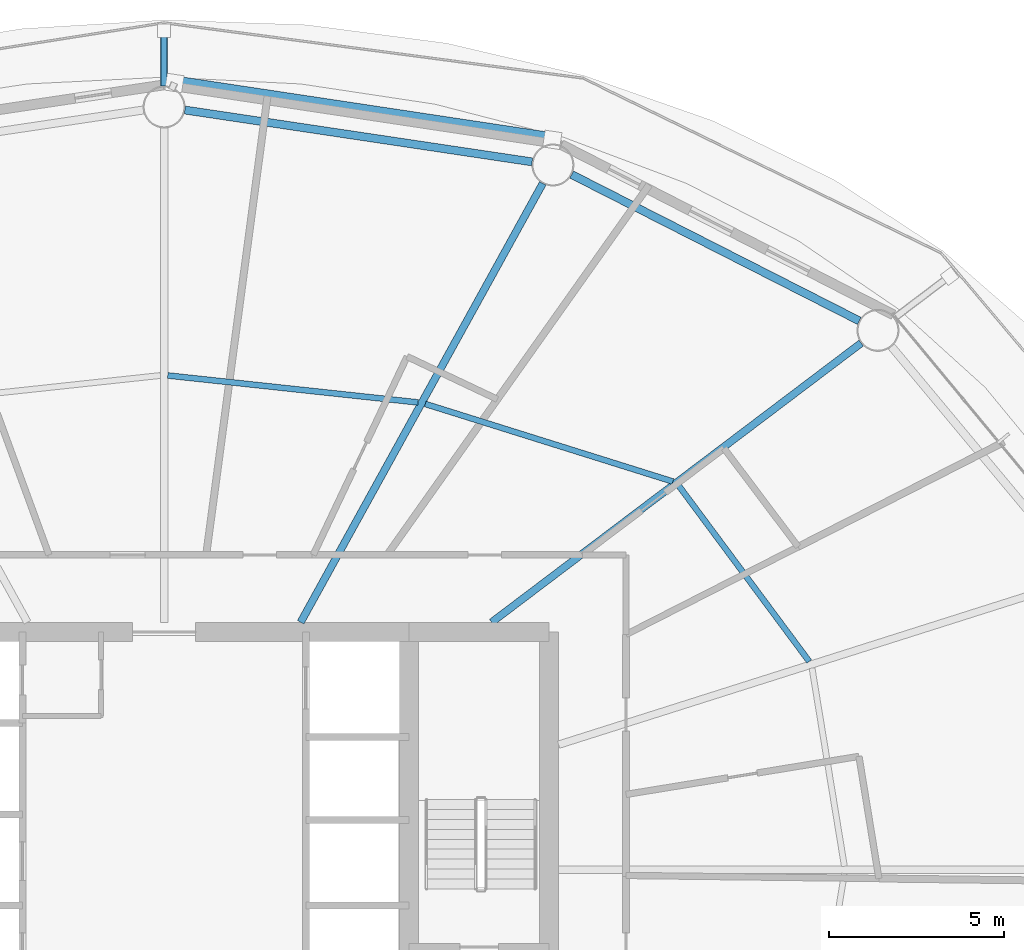
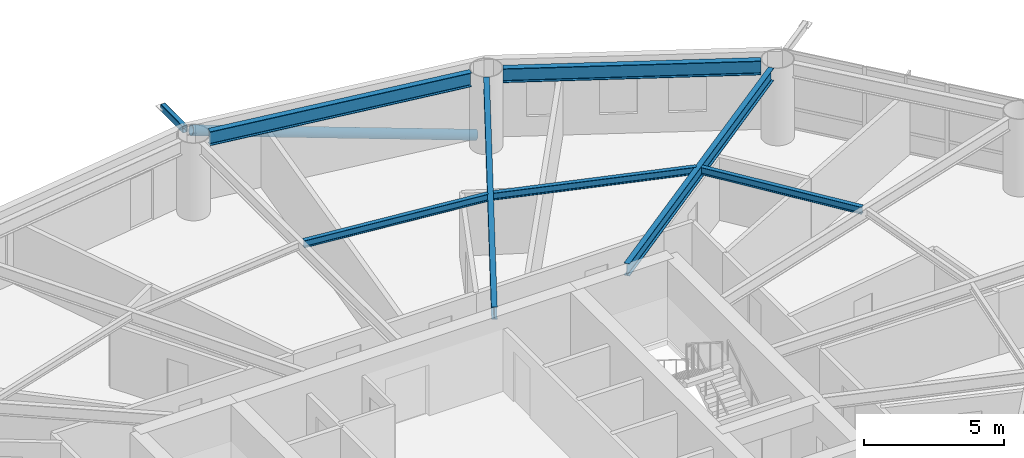
# One storey, part 11 of 24: 7 beams, 2 members.
"""IFC4 building model written with IfcOpenShell, lengths in metres."""

from ifc_helpers import new_model, si_unit, direction, frame, origin, origin_2d, place, context, subcontext, project, spatial, hollow_rectangle, hollow_circle, i_section, extrude, material, material_profile, profile_set, type_object, element, save


model = new_model("IFC4")

# Units and contexts
model_context = context("Model", 3, precision=1e-05, world=origin(), true_north=direction((0.0, 1.0)))
body_context = subcontext(model_context, "Body", "Model", "MODEL_VIEW")
ifc_project = project(units=[si_unit("LENGTHUNIT", "METRE"), si_unit("AREAUNIT", "SQUARE_METRE"), si_unit("VOLUMEUNIT", "CUBIC_METRE"), si_unit("PLANEANGLEUNIT", "RADIAN"), si_unit("MASSUNIT", "GRAM", prefix="KILO")], contexts=[model_context])

# Site, building, storey
site_placement = place(None, origin())
site = spatial("IfcSite", under=ifc_project, at=site_placement, CompositionType="ELEMENT")
building_placement = place(site_placement, origin())
building = spatial("IfcBuilding", under=site, at=building_placement, Name="Sarneth Arch Tower", CompositionType="ELEMENT")
storey_placement = place(building_placement, frame((0.0, 0.0, 105.60009765625)))
storey = spatial("IfcBuildingStorey", under=building, at=storey_placement, Name="L26", CompositionType="ELEMENT", Elevation=105.60009765625)

# Beams
ifc_material_1 = material(Name="Steel S355", Category="steel")
ifc_material_profile_1 = material_profile(ifc_material_1, i_section(OverallWidth=0.1669921875, OverallDepth=0.31689453125, WebThickness=0.007568359375, FlangeThickness=0.01318359375, FilletRadius=0.012939453125, at=origin_2d()), Name="W310x52")
ifc_profile_set_1 = profile_set([ifc_material_profile_1], Name="Steel S355")
beam_type_1 = type_object("IfcBeamType", Name="BM-JOIST-310B", PredefinedType="JOIST", material=ifc_profile_set_1)
beam_1_placement = place(storey_placement, frame((66.434326171875, 47.9541015625, 3.221435546875), z_axis=(-0.596098474255, 0.802911333206, 0.0), x_axis=(-0.802911333206, -0.596098474255, 0.0)))
element("IfcBeam", 1, at=beam_1_placement, inside=storey, type_object=beam_type_1, Name="L26 Secondary floor joist 02", PredefinedType="JOIST", context=body_context, shape_type="SweptSolid", body=[
    extrude(i_section(OverallWidth=0.1669921875, OverallDepth=0.31689453125, WebThickness=0.007568359375, FlangeThickness=0.01318359375, FilletRadius=0.012939453125, at=origin_2d()), origin(), (0.0, 0.0, 1.0), 6.259033203125),
])
beam_2_placement = place(storey_placement, frame((62.539794921875, 53.095703125, 3.221435546875), z_axis=(-0.954245982384, 0.299022750146, 0.0), x_axis=(-0.299022750146, -0.954245982384, 0.0)))
element("IfcBeam", 2, at=beam_2_placement, inside=storey, type_object=beam_type_1, Name="L26 Secondary floor joist 03", PredefinedType="JOIST", context=body_context, shape_type="SweptSolid", body=[
    extrude(i_section(OverallWidth=0.1669921875, OverallDepth=0.31689453125, WebThickness=0.007568359375, FlangeThickness=0.01318359375, FilletRadius=0.012939453125, at=origin_2d()), origin(), (0.0, 0.0, 1.0), 7.416748046875),
])
beam_3_placement = place(storey_placement, frame((55.2568359375, 55.3564453125, 3.221435546875), z_axis=(-0.994257420028, 0.107014871487, 0.0), x_axis=(-0.107014871487, -0.994257420028, 0.0)))
element("IfcBeam", 3, at=beam_3_placement, inside=storey, type_object=beam_type_1, Name="L26 Secondary floor joist 04", PredefinedType="JOIST", context=body_context, shape_type="SweptSolid", body=[
    extrude(i_section(OverallWidth=0.1669921875, OverallDepth=0.31689453125, WebThickness=0.007568359375, FlangeThickness=0.01318359375, FilletRadius=0.012939453125, at=origin_2d()), origin(), (0.0, 0.0, 1.0), 7.193115234375),
])
ifc_material_2 = material(Name="Steel S355", Category="steel")
ifc_material_profile_2 = material_profile(ifc_material_2, i_section(OverallWidth=0.2109375, OverallDepth=0.5390625, WebThickness=0.01171875, FlangeThickness=0.018798828125, FilletRadius=0.01806640625, at=origin_2d()), Name="W530x109")
ifc_profile_set_2 = profile_set([ifc_material_profile_2], Name="Steel S355")
beam_type_2 = type_object("IfcBeamType", Name="BM-RAD-530B", PredefinedType="BEAM", material=ifc_profile_set_2)
beam_4_placement = place(storey_placement, frame((57.36181640625, 49.074951171875, 3.1103515625), z_axis=(0.797802835234, 0.602918432371, 0.0), x_axis=(-0.602918432371, 0.797802835234, 0.0)))
element("IfcBeam", 4, at=beam_4_placement, inside=storey, type_object=beam_type_2, Name="L26 Radial floor girder 03", PredefinedType="BEAM", context=body_context, shape_type="SweptSolid", body=[
    extrude(i_section(OverallWidth=0.2109375, OverallDepth=0.5390625, WebThickness=0.01171875, FlangeThickness=0.018798828125, FilletRadius=0.01806640625, at=origin_2d()), origin(), (0.0, 0.0, 1.0), 13.232666015625),
])
beam_5_placement = place(storey_placement, frame((51.90283203125, 49.074951171875, 3.1103515625), z_axis=(0.483021011336, 0.875608761153, 0.0), x_axis=(-0.875608761153, 0.483021011336, 0.0)))
element("IfcBeam", 5, at=beam_5_placement, inside=storey, type_object=beam_type_2, Name="L26 Radial floor girder 04", PredefinedType="BEAM", context=body_context, shape_type="SweptSolid", body=[
    extrude(i_section(OverallWidth=0.2109375, OverallDepth=0.5390625, WebThickness=0.01171875, FlangeThickness=0.018798828125, FilletRadius=0.01806640625, at=origin_2d()), origin(), (0.0, 0.0, 1.0), 14.32177734375),
])
ifc_material_3 = material(Name="Steel S355", Category="steel")
ifc_material_profile_3 = material_profile(ifc_material_3, i_section(OverallWidth=0.22900390625, OverallDepth=0.612060546875, WebThickness=0.011962890625, FlangeThickness=0.01953125, FilletRadius=0.01904296875, at=origin_2d()), Name="W610x125")
ifc_profile_set_3 = profile_set([ifc_material_profile_3], Name="Steel S355")
beam_type_3 = type_object("IfcBeamType", Name="BM-SPAN-610C", PredefinedType="SPANDREL", material=ifc_profile_set_3)
beam_6_placement = place(storey_placement, frame((67.86279296875, 57.68701171875, 3.073974609375), z_axis=(-0.891259443414, 0.453493775619, 0.0), x_axis=(-0.453493775619, -0.891259443414, 0.0)))
element("IfcBeam", 6, at=beam_6_placement, inside=storey, type_object=beam_type_3, Name="L26 Perimeter spandrel beam 03", PredefinedType="SPANDREL", context=body_context, shape_type="SweptSolid", body=[
    extrude(i_section(OverallWidth=0.22900390625, OverallDepth=0.612060546875, WebThickness=0.011962890625, FlangeThickness=0.01953125, FilletRadius=0.01904296875, at=origin_2d()), origin(), (0.0, 0.0, 1.0), 9.220458984375),
])
beam_7_placement = place(storey_placement, frame((58.516845703125, 62.229248046875, 3.073974609375), z_axis=(-0.989028613319, 0.147724073992, 0.0), x_axis=(-0.147724073992, -0.989028613319, 0.0)))
element("IfcBeam", 7, at=beam_7_placement, inside=storey, type_object=beam_type_3, Name="L26 Perimeter spandrel beam 04", PredefinedType="SPANDREL", context=body_context, shape_type="SweptSolid", body=[
    extrude(i_section(OverallWidth=0.22900390625, OverallDepth=0.612060546875, WebThickness=0.011962890625, FlangeThickness=0.01953125, FilletRadius=0.01904296875, at=origin_2d()), origin(), (0.0, 0.0, 1.0), 10.033447265625),
])

# Members
ifc_material_4 = material(Name="Steel S355", Category="steel")
ifc_material_profile_4 = material_profile(ifc_material_4, hollow_rectangle(XDim=0.199951171875, YDim=0.300048828125, WallThickness=0.012451171875, InnerFilletRadius=0.018798828125, OuterFilletRadius=0.03125, at=origin_2d()), Name="RHS300x200x12.5")
ifc_profile_set_4 = profile_set([ifc_material_profile_4], Name="Steel S355")
member_type_1 = type_object("IfcMemberType", Name="MEM-CANT-STRUT", PredefinedType="STRUT", material=ifc_profile_set_4)
member_1_placement = place(storey_placement, frame((48.0, 64.39990234375, 3.219970703125), z_axis=(0.0, 1.0, 0.0), x_axis=(-1.0, 0.0, 0.0)))
element("IfcMember", 8, at=member_1_placement, inside=storey, type_object=member_type_1, Name="L26 Balcony cantilever bracket 05", PredefinedType="STRUT", context=body_context, shape_type="SweptSolid", body=[
    extrude(hollow_rectangle(XDim=0.199951171875, YDim=0.300048828125, WallThickness=0.012451171875, InnerFilletRadius=0.018798828125, OuterFilletRadius=0.03125, at=origin_2d()), origin(), (0.0, 0.0, 1.0), 1.577392578125),
])
ifc_material_5 = material(Name="Steel S355", Category="steel")
ifc_material_profile_5 = material_profile(ifc_material_5, hollow_circle(Radius=0.202880859375, WallThickness=0.01611328125, at=origin_2d()), Name="CHS406x16")
ifc_profile_set_5 = profile_set([ifc_material_profile_5], Name="Steel S355")
member_type_2 = type_object("IfcMemberType", Name="MEM-DIAG-BR2", PredefinedType="BRACE", material=ifc_profile_set_5)
member_2_placement = place(storey_placement, frame((59.0927734375, 62.859619140625, 0.02001953125), z_axis=(-0.95367294778, 0.14360842494, 0.264356821282), x_axis=(-0.148905755657, -0.988851392239, 0.0)))
element("IfcMember", 9, at=member_2_placement, inside=storey, type_object=member_type_2, Name="L26 Perimeter frame diagonal 04", PredefinedType="BRACE", context=body_context, shape_type="SweptSolid", body=[
    extrude(hollow_circle(Radius=0.202880859375, WallThickness=0.01611328125, at=origin_2d()), origin(), (0.0, 0.0, 1.0), 11.320556640625),
])

save(model, "model.ifc")
